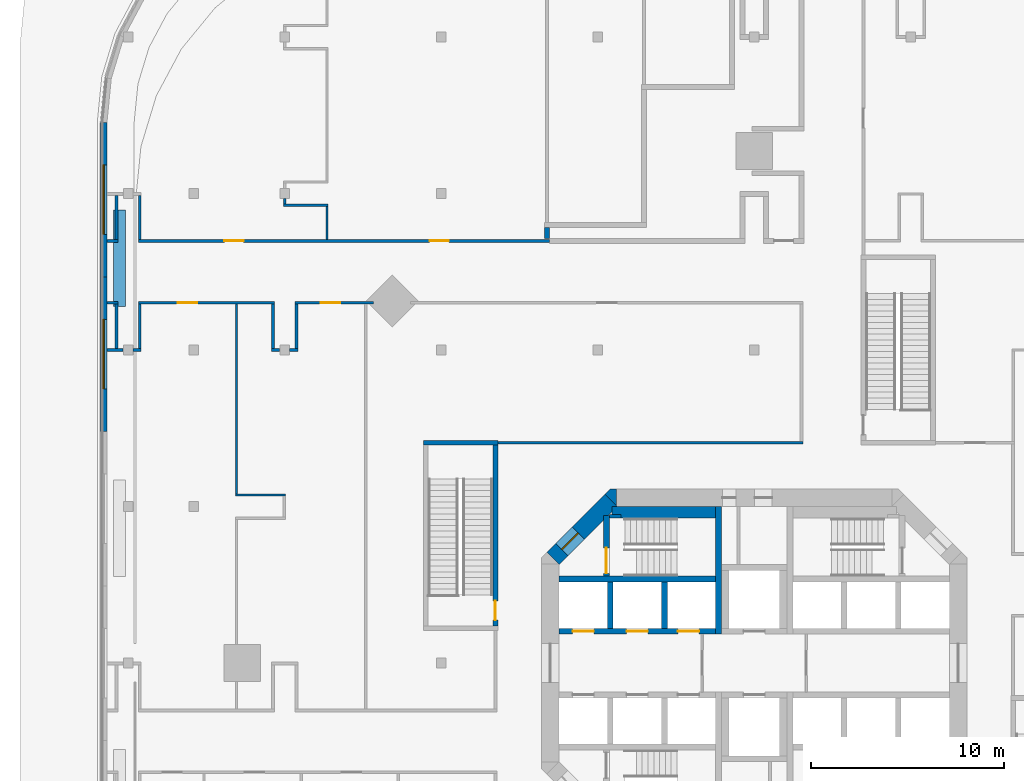
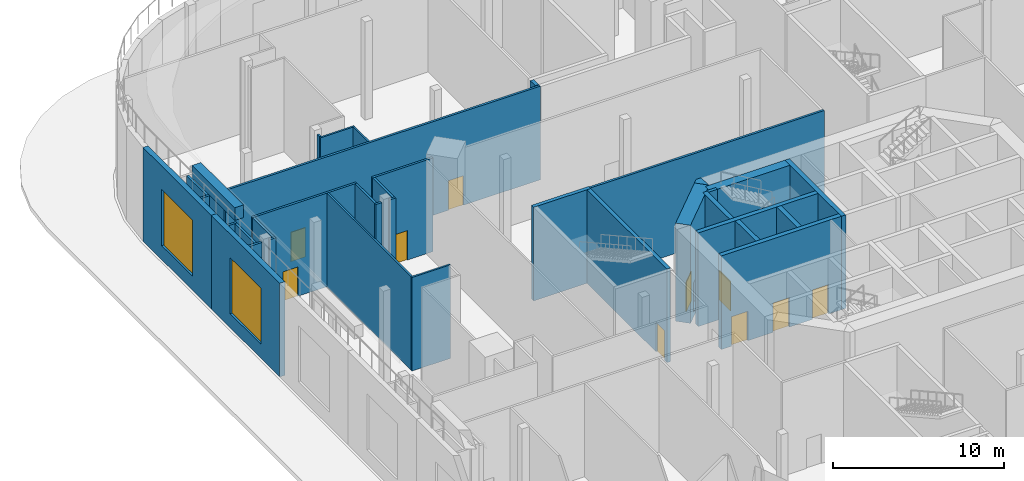
# One storey, part 9 of 21: 37 walls, 10 doors, 2 windows, 12 openings.
"""IFC4 building model written with IfcOpenShell, lengths in metres."""

import ifcopenshell
import ifcopenshell.guid

model = None  # the IFC model being written
_history = None  # IfcOwnerHistory: only IFC2X3 demands one
_inside = {}  # id of a spatial element -> (the spatial element, [elements in it])
_under = {}  # id of a project, library or spatial element -> (it, [spatial elements below it])
_declared = {}  # id of a project -> (the project, [libraries it declares])
_typed = {}  # id of a type object -> (the type object, [elements of that type])
_made_of = {}  # id of a material, layer set ... -> (it, [elements and type objects made of it])


def new_model(schema):
    """Start an empty IFC model of exactly this schema.

    Asked for "IFC4X3", IfcOpenShell would pick the latest addendum, in which some entities
    have other attributes; the version numbers below select the first issue.
    IFC2X3 requires an IfcOwnerHistory on every rooted entity: one is made here for all.
    """
    global model, _history
    if schema == "IFC4X3":
        model = ifcopenshell.file(schema_version=(4, 3, 0, 0))
    else:
        model = ifcopenshell.file(schema=schema)
    _inside.clear()
    _under.clear()
    _declared.clear()
    _typed.clear()
    _made_of.clear()
    _history = None
    if model.schema == "IFC2X3":
        org = make("IfcOrganization", Name="unknown")
        user = make(
            "IfcPersonAndOrganization",
            ThePerson=make("IfcPerson", FamilyName="unknown"),
            TheOrganization=org,
        )
        app = make(
            "IfcApplication",
            ApplicationDeveloper=org,
            Version="unknown",
            ApplicationFullName="unknown",
            ApplicationIdentifier="unknown",
        )
        _history = make(
            "IfcOwnerHistory",
            OwningUser=user,
            OwningApplication=app,
            ChangeAction="ADDED",
            CreationDate=0,
        )
    return model


def make(cls, **values):
    """One entity of the class cls with the attributes given. An attribute that is None is left unset."""
    return model.create_entity(
        cls, **{name: value for name, value in values.items() if value is not None}
    )


def rooted(cls, **values):
    """An entity with a GlobalId (a new one), such as an element, a storey or a relation."""
    return make(cls, GlobalId=ifcopenshell.guid.new(), OwnerHistory=_history, **values)


def si_unit(unit_type, name, prefix=None):
    """IfcSIUnit, for example si_unit("LENGTHUNIT", "METRE", prefix="MILLI")."""
    return make("IfcSIUnit", UnitType=unit_type, Prefix=prefix, Name=name)


def assignment(units):
    """IfcUnitAssignment: the units of a project."""
    return None if units is None else make("IfcUnitAssignment", Units=units)


def point(xyz):
    """IfcCartesianPoint."""
    return None if xyz is None else make("IfcCartesianPoint", Coordinates=xyz)


def direction(xyz):
    """IfcDirection."""
    return None if xyz is None else make("IfcDirection", DirectionRatios=xyz)


def frame(location, z_axis=None, x_axis=None):
    """IfcAxis2Placement3D, a coordinate frame: its origin and axes. An axis left out is left unset."""
    return make(
        "IfcAxis2Placement3D",
        Location=point(location),
        Axis=direction(z_axis),
        RefDirection=direction(x_axis),
    )


def frame_2d(location, x_axis=None):
    """IfcAxis2Placement2D, a coordinate frame in the plane: its origin and x axis."""
    return make(
        "IfcAxis2Placement2D", Location=point(location), RefDirection=direction(x_axis)
    )


def origin():
    """The frame at (0, 0, 0) with its axes left unset."""
    return frame((0.0, 0.0, 0.0))


def place(relative_to, where):
    """IfcLocalPlacement: puts the frame where relative to a parent placement (None: the world)."""
    return make(
        "IfcLocalPlacement", PlacementRelTo=relative_to, RelativePlacement=where
    )


def context(
    kind, dimensions, precision=None, world=None, true_north=None, identifier=None
):
    """IfcGeometricRepresentationContext, for example the 3D "Model" context."""
    return make(
        "IfcGeometricRepresentationContext",
        ContextIdentifier=identifier,
        ContextType=kind,
        CoordinateSpaceDimension=dimensions,
        Precision=precision,
        WorldCoordinateSystem=world,
        TrueNorth=true_north,
    )


def subcontext(parent, identifier, kind, view, scale=None):
    """IfcGeometricRepresentationSubContext, for example "Body" below "Model"."""
    return make(
        "IfcGeometricRepresentationSubContext",
        ContextIdentifier=identifier,
        ContextType=kind,
        ParentContext=parent,
        TargetScale=scale,
        TargetView=view,
    )


def project(units=None, contexts=None):
    """IfcProject with its units and contexts."""
    return rooted(
        "IfcProject",
        Name="project",
        RepresentationContexts=contexts,
        UnitsInContext=assignment(units),
    )


def spatial(cls, under=None, at=None, **own):
    """A site, building, storey or space (cls), placed at a placement, below another one or the project."""
    s = rooted(cls, ObjectPlacement=at, **own)
    if under is not None:
        _under.setdefault(under.id(), (under, []))[1].append(s)
    return s


def polyline(points):
    """IfcPolyline through the points."""
    return make("IfcPolyline", Points=[point(p) for p in points])


def profile(cls, at=None, kind="AREA", **sizes):
    """A parametric profile (cls). Its sizes go by their IFC names, for example OverallWidth=200.0."""
    return make(cls, ProfileType=kind, Position=at, **sizes)


def rectangle(**sizes):
    """IfcRectangleProfileDef."""
    return profile("IfcRectangleProfileDef", **sizes)


def outline(outer, holes=None, kind="AREA"):
    """IfcArbitraryClosedProfileDef: a profile drawn as a closed curve; with holes, ...WithVoids."""
    if holes is None:
        return make("IfcArbitraryClosedProfileDef", ProfileType=kind, OuterCurve=outer)
    return make(
        "IfcArbitraryProfileDefWithVoids",
        ProfileType=kind,
        OuterCurve=outer,
        InnerCurves=holes,
    )


def extrude(swept, where, along, depth):
    """IfcExtrudedAreaSolid: the profile swept, set in the frame where, extruded along a direction by depth."""
    return make(
        "IfcExtrudedAreaSolid",
        SweptArea=swept,
        Position=where,
        ExtrudedDirection=direction(along),
        Depth=depth,
    )


def shape(context_of_items, identifier, shape_type, items):
    """IfcShapeRepresentation: the items that make up one representation, for example the "Body"."""
    return make(
        "IfcShapeRepresentation",
        ContextOfItems=context_of_items,
        RepresentationIdentifier=identifier,
        RepresentationType=shape_type,
        Items=items,
    )


def material(Name=None, Category=None):
    """IfcMaterial."""
    return make("IfcMaterial", Name=Name, Category=Category)


def layer(
    of_material, thickness, ventilated=None, Name=None, Category=None, Priority=None
):
    """IfcMaterialLayer: one layer of a wall or slab, of a material (None: an air gap)."""
    return make(
        "IfcMaterialLayer",
        Material=of_material,
        LayerThickness=thickness,
        IsVentilated=ventilated,
        Name=Name,
        Category=Category,
        Priority=Priority,
    )


def layer_set(layers, Name=None):
    """IfcMaterialLayerSet."""
    return make("IfcMaterialLayerSet", MaterialLayers=layers, LayerSetName=Name)


def made_of(thing, what):
    """Note that an element or type object is made of a material, layer set ...; save() writes the relation."""
    if what is not None:
        _made_of.setdefault(what.id(), (what, []))[1].append(thing)
    return thing


def type_object(cls, material=None, **own):
    """A type object (cls), such as IfcWallType, which elements share."""
    return made_of(rooted(cls, **own), material)


def element(
    cls,
    number,
    at=None,
    inside=None,
    cuts=None,
    type_object=None,
    material=None,
    context=None,
    identifier="Body",
    shape_type=None,
    held_by="IfcProductDefinitionShape",
    body=None,
    shapes=None,
    **own,
):
    """One element of the class cls, such as IfcWall. Its Tag is "e" and its number.

    at: its placement. inside: the storey or other place that contains it. cuts: it is an
    opening in that element (IfcRelVoidsElement). A single representation is given by context,
    identifier, shape_type and body (its items); several are given by shapes. held_by: the class
    of the entity that holds the representations. save() writes the other relations.
    """
    e = rooted(cls, Tag="e%d" % number, ObjectPlacement=at, **own)
    if body is not None:
        shapes = [shape(context, identifier, shape_type, body)]
    if shapes is not None:
        e.Representation = make(held_by, Representations=shapes)
    if inside is not None:
        _inside.setdefault(inside.id(), (inside, []))[1].append(e)
    if cuts is not None:
        rooted(
            "IfcRelVoidsElement", RelatingBuildingElement=cuts, RelatedOpeningElement=e
        )
    if type_object is not None:
        _typed.setdefault(type_object.id(), (type_object, []))[1].append(e)
    return made_of(e, material)


def fill(opening, filler):
    """IfcRelFillsElement: the door or window that sits in an opening."""
    return rooted(
        "IfcRelFillsElement",
        RelatingOpeningElement=opening,
        RelatedBuildingElement=filler,
    )


def aggregate(whole, parts):
    """IfcRelAggregates: a whole, such as a stair, and the parts it consists of."""
    return rooted("IfcRelAggregates", RelatingObject=whole, RelatedObjects=parts)


def save(model, path):
    """Write the relations noted so far, then the file.

    IfcRelAggregates (storeys below a building ...), IfcRelContainedInSpatialStructure (elements
    in a storey), IfcRelDefinesByType, IfcRelAssociatesMaterial and IfcRelDeclares: one each for
    every whole, place, type object, material and project.
    """
    for whole, parts in _under.values():
        aggregate(whole, parts)
    for where, things in _inside.values():
        rooted(
            "IfcRelContainedInSpatialStructure",
            RelatedElements=things,
            RelatingStructure=where,
        )
    for kind, things in _typed.values():
        rooted("IfcRelDefinesByType", RelatedObjects=things, RelatingType=kind)
    for what, things in _made_of.values():
        rooted("IfcRelAssociatesMaterial", RelatedObjects=things, RelatingMaterial=what)
    for by, libraries in _declared.values():
        rooted("IfcRelDeclares", RelatingContext=by, RelatedDefinitions=libraries)
    model.write(path)


model = new_model("IFC4")

# Units and contexts
model_context = context("Model", 3, precision=1e-05, world=origin(), true_north=direction((0.0, 1.0)))
body_context = subcontext(model_context, "Body", "Model", "MODEL_VIEW")
ifc_project = project(units=[si_unit("LENGTHUNIT", "METRE"), si_unit("AREAUNIT", "SQUARE_METRE"), si_unit("VOLUMEUNIT", "CUBIC_METRE"), si_unit("PLANEANGLEUNIT", "RADIAN"), si_unit("MASSUNIT", "GRAM", prefix="KILO")], contexts=[model_context])

# Site, building, storey
site_placement = place(None, origin())
site = spatial("IfcSite", under=ifc_project, at=site_placement, CompositionType="ELEMENT")
building_placement = place(site_placement, origin())
building = spatial("IfcBuilding", under=site, at=building_placement, Name="Torre Triforio", CompositionType="ELEMENT")
storey_placement = place(building_placement, frame((0.0, 0.0, 6.0)))
storey = spatial("IfcBuildingStorey", under=building, at=storey_placement, Name="L01", CompositionType="ELEMENT", Elevation=6.0)

# Wall
ifc_material_1 = material(Name="Concrete C60", Category="concrete")
ifc_layer_1 = layer(ifc_material_1, 0.300048828125)
ifc_layer_set_1 = layer_set([ifc_layer_1], Name="Concrete C60")
wall_type_1 = type_object("IfcWallType", Name="Core wall 300 mm C60 EI 120", PredefinedType="SHEAR", material=ifc_layer_set_1)
wall_1_placement = place(storey_placement, frame((-1.85009765625, 1.5, 0.0), z_axis=(0.0, 0.0, 1.0), x_axis=(0.0, 1.0, 0.0)))
element("IfcWall", 1, at=wall_1_placement, inside=storey, type_object=wall_type_1, Name="Core wall", PredefinedType="SHEAR", context=body_context, shape_type="SweptSolid", body=[
    extrude(rectangle(XDim=6.60009765625, YDim=0.300048828125, at=frame_2d((3.300048828125, 0.0))), origin(), (0.0, 0.0, 1.0), 6.679931640625),
])

# Wall, opening, door
ifc_layer_2 = layer(ifc_material_1, 0.89990234375)
ifc_layer_set_2 = layer_set([ifc_layer_2], Name="Concrete C60")
wall_type_2 = type_object("IfcWallType", Name="Core wall 900 mm C60 EI 120", PredefinedType="SHEAR", material=ifc_layer_set_2)
wall_2_placement = place(storey_placement, frame((-10.418212890625, 5.418212890625, -0.320068359375), z_axis=(0.0, 0.0, 1.0), x_axis=(0.707106781187, 0.707106781187, 0.0)))
wall_2 = element("IfcWall", 2, at=wall_2_placement, inside=storey, type_object=wall_type_2, Name="Core wall", PredefinedType="SHEAR", context=body_context, shape_type="SweptSolid", body=[
    extrude(rectangle(XDim=4.24267578125, YDim=0.89990234375, at=frame_2d((2.121337890625, 0.0))), origin(), (0.0, 0.0, 1.0), 7.0),
])
opening_1_placement = place(wall_2_placement, frame((0.64990234375, 0.0, 0.320068359375)))
opening_1 = element("IfcOpeningElement", 3, at=opening_1_placement, cuts=wall_2, Name="Opening ST1-EXIT", PredefinedType="OPENING", context=body_context, shape_type="SweptSolid", body=[
    extrude(rectangle(XDim=1.199951171875, YDim=2.10009765625, at=frame_2d((0.60009765625, 1.050048828125))), frame((0.0, 0.4599609375, 0.0), z_axis=(0.0, -1.0, 0.0), x_axis=(1.0, 0.0, 0.0)), (0.0, 0.0, 1.0), 0.919921875),
])
ifc_material_2 = material(Name="Hollow metal fire door leaf")
door_type_1 = type_object("IfcDoorType", Name="Stair lobby door 1200 x 2100 EI 60", OperationType="NOTDEFINED", PredefinedType="DOOR", material=ifc_material_2)
door_1_placement = place(opening_1_placement, origin())
door_1 = element("IfcDoor", 4, at=door_1_placement, inside=storey, type_object=door_type_1, Name="Core door ST1-EXIT", OperationType="SINGLE_SWING_RIGHT", OverallHeight=2.10009765625, OverallWidth=1.199951171875, PredefinedType="DOOR", context=body_context, shape_type="SweptSolid", body=[
    extrude(rectangle(XDim=1.199951171875, YDim=2.10009765625, at=frame_2d((0.60009765625, 1.050048828125))), frame((0.0, 0.02490234375, 0.0), z_axis=(0.0, -1.0, 0.0), x_axis=(1.0, 0.0, 0.0)), (0.0, 0.0, 1.0), 0.050048828125),
])
fill(opening_1, door_1)

# Walls
wall_3_placement = place(storey_placement, frame((0.0, 0.0, -0.320068359375)))
element("IfcWall", 5, at=wall_3_placement, inside=storey, type_object=wall_type_2, Name="Core wall", PredefinedType="SHEAR", context=body_context, shape_type="SweptSolid", body=[
    extrude(outline(polyline([(-7.472900390625, 9.0), (-7.1298828125, 9.0), (-7.1298828125, 8.1298828125), (-7.736328125, 8.736328125), (-7.472900390625, 9.0)])), origin(), (0.0, 0.0, 1.0), 7.0),
])
ifc_material_3 = material(Name="Plasterboard on metal studs")
ifc_layer_3 = layer(ifc_material_3, 0.14990234375)
ifc_layer_set_3 = layer_set([ifc_layer_3], Name="Plasterboard on metal studs")
wall_type_3 = type_object("IfcWallType", Name="Corridor wall 150 EI 60", PredefinedType="PARTITIONING", material=ifc_layer_set_3)
wall_4_placement = place(storey_placement, frame((-33.489990234375, 16.199951171875, 0.0), z_axis=(0.0, 0.0, 1.0), x_axis=(1.0, 0.0, 0.0)))
element("IfcWall", 6, at=wall_4_placement, inside=storey, type_object=wall_type_3, Name="Corridor wall L01 131", PredefinedType="PARTITIONING", context=body_context, shape_type="SweptSolid", body=[
    extrude(rectangle(XDim=0.830078125, YDim=0.14990234375, at=frame_2d((0.4150390625, 0.0))), origin(), (0.0, 0.0, 1.0), 6.679931640625),
])
wall_5_placement = place(storey_placement, frame((-32.139892578125, 16.199951171875, 0.0), z_axis=(0.0, 0.0, 1.0), x_axis=(1.0, 0.0, 0.0)))
element("IfcWall", 7, at=wall_5_placement, inside=storey, type_object=wall_type_3, Name="Corridor wall L01 132", PredefinedType="PARTITIONING", context=body_context, shape_type="SweptSolid", body=[
    extrude(rectangle(XDim=0.414794921875, YDim=0.14990234375, at=frame_2d((0.20751953125, 0.0))), origin(), (0.0, 0.0, 1.0), 6.679931640625),
])
wall_6_placement = place(storey_placement, frame((-33.5, 18.64990234375, 0.0), z_axis=(0.0, 0.0, 1.0), x_axis=(1.0, 0.0, 0.0)))
element("IfcWall", 8, at=wall_6_placement, inside=storey, type_object=wall_type_3, Name="Corridor wall L01 133", PredefinedType="PARTITIONING", context=body_context, shape_type="SweptSolid", body=[
    extrude(rectangle(XDim=0.574951171875, YDim=0.14990234375, at=frame_2d((0.28759765625, 0.0))), origin(), (0.0, 0.0, 1.0), 6.679931640625),
])

# Wall, opening, door
wall_7_placement = place(storey_placement, frame((-31.875, 18.64990234375, 0.0), z_axis=(0.0, 0.0, 1.0), x_axis=(1.0, 0.0, 0.0)))
wall_7 = element("IfcWall", 9, at=wall_7_placement, inside=storey, type_object=wall_type_3, Name="Corridor wall L01 134", PredefinedType="PARTITIONING", context=body_context, shape_type="SweptSolid", body=[
    extrude(rectangle(XDim=7.050048828125, YDim=0.14990234375, at=frame_2d((3.52490234375, 0.0))), origin(), (0.0, 0.0, 1.0), 6.679931640625),
])
opening_2_placement = place(wall_7_placement, frame((2.050048828125, 0.0, 0.0)))
opening_2 = element("IfcOpeningElement", 10, at=opening_2_placement, cuts=wall_7, Name="Opening P1-40", PredefinedType="OPENING", context=body_context, shape_type="SweptSolid", body=[
    extrude(rectangle(XDim=1.0, YDim=2.10009765625, at=frame_2d((0.5, 1.050048828125))), frame((0.0, 0.0849609375, 0.0), z_axis=(0.0, -1.0, 0.0), x_axis=(1.0, 0.0, 0.0)), (0.0, 0.0, 1.0), 0.169921875),
])
ifc_material_4 = material(Name="Timber door leaf", Category="wood")
door_type_2 = type_object("IfcDoorType", Name="Single door 1000 x 2100 EI 30", OperationType="NOTDEFINED", PredefinedType="DOOR", material=ifc_material_4)
door_2_placement = place(opening_2_placement, origin())
door_2 = element("IfcDoor", 11, at=door_2_placement, inside=storey, type_object=door_type_2, Name="Door P1-40", OperationType="SINGLE_SWING_LEFT", OverallHeight=2.10009765625, OverallWidth=1.0, PredefinedType="DOOR", context=body_context, shape_type="SweptSolid", body=[
    extrude(rectangle(XDim=1.0, YDim=2.10009765625, at=frame_2d((0.5, 1.050048828125))), frame((0.0, 0.02490234375, 0.0), z_axis=(0.0, -1.0, 0.0), x_axis=(1.0, 0.0, 0.0)), (0.0, 0.0, 1.0), 0.050048828125),
])
fill(opening_2, door_2)

# Walls
for number, where, z_axis, x_axis, name in (
    (12, (-33.0, 16.27490234375, 0.0), (0.0, 0.0, 1.0), (0.0, 1.0, 0.0), "Corridor wall L01 135"),
    (13, (-31.800048828125, 16.27490234375, 0.0), (0.0, 0.0, 1.0), (0.0, 1.0, 0.0), "Corridor wall L01 136"),
):
    element("IfcWall", number, at=place(storey_placement, frame(where, z_axis=z_axis, x_axis=x_axis)), inside=storey, type_object=wall_type_3, Name=name, PredefinedType="PARTITIONING", context=body_context, shape_type="SweptSolid", body=[
        extrude(rectangle(XDim=2.300048828125, YDim=0.14990234375, at=frame_2d((1.14990234375, 0.0))), origin(), (0.0, 0.0, 1.0), 6.679931640625),
    ])
for number, where, z_axis, x_axis, name in (
    (14, (-24.97509765625, 16.199951171875, 0.0), (0.0, 0.0, 1.0), (1.0, 0.0, 0.0), "Corridor wall L01 137"),
    (15, (-24.0400390625, 16.199951171875, 0.0), (0.0, 0.0, 1.0), (1.0, 0.0, 0.0), "Corridor wall L01 138"),
):
    element("IfcWall", number, at=place(storey_placement, frame(where, z_axis=z_axis, x_axis=x_axis)), inside=storey, type_object=wall_type_3, Name=name, PredefinedType="PARTITIONING", context=body_context, shape_type="SweptSolid", body=[
        extrude(rectangle(XDim=0.4150390625, YDim=0.14990234375, at=frame_2d((0.20751953125, 0.0))), origin(), (0.0, 0.0, 1.0), 6.679931640625),
    ])

# Wall, opening, door
wall_8_placement = place(storey_placement, frame((-23.77490234375, 18.64990234375, 0.0), z_axis=(0.0, 0.0, 1.0), x_axis=(1.0, 0.0, 0.0)))
wall_8 = element("IfcWall", 16, at=wall_8_placement, inside=storey, type_object=wall_type_3, Name="Corridor wall L01 139", PredefinedType="PARTITIONING", context=body_context, shape_type="SweptSolid", body=[
    extrude(rectangle(XDim=4.07666015625, YDim=0.14990234375, at=frame_2d((2.038330078125, 0.0))), origin(), (0.0, 0.0, 1.0), 6.679931640625),
])
opening_3_placement = place(wall_8_placement, frame((1.35009765625, 0.0, 0.0)))
opening_3 = element("IfcOpeningElement", 17, at=opening_3_placement, cuts=wall_8, Name="Opening P1-41", PredefinedType="OPENING", context=body_context, shape_type="SweptSolid", body=[
    extrude(rectangle(XDim=1.0, YDim=2.10009765625, at=frame_2d((0.5, 1.050048828125))), frame((0.0, 0.0849609375, 0.0), z_axis=(0.0, -1.0, 0.0), x_axis=(1.0, 0.0, 0.0)), (0.0, 0.0, 1.0), 0.169921875),
])
door_3_placement = place(opening_3_placement, origin())
door_3 = element("IfcDoor", 18, at=door_3_placement, inside=storey, type_object=door_type_2, Name="Door P1-41", OperationType="SINGLE_SWING_LEFT", OverallHeight=2.10009765625, OverallWidth=1.0, PredefinedType="DOOR", context=body_context, shape_type="SweptSolid", body=[
    extrude(rectangle(XDim=1.0, YDim=2.10009765625, at=frame_2d((0.5, 1.050048828125))), frame((0.0, 0.02490234375, 0.0), z_axis=(0.0, -1.0, 0.0), x_axis=(1.0, 0.0, 0.0)), (0.0, 0.0, 1.0), 0.050048828125),
])
fill(opening_3, door_3)

# Walls
for number, where, z_axis, x_axis, name in (
    (19, (-24.89990234375, 16.27490234375, 0.0), (0.0, 0.0, 1.0), (0.0, 1.0, 0.0), "Corridor wall L01 140"),
    (20, (-23.699951171875, 16.27490234375, 0.0), (0.0, 0.0, 1.0), (0.0, 1.0, 0.0), "Corridor wall L01 141"),
):
    element("IfcWall", number, at=place(storey_placement, frame(where, z_axis=z_axis, x_axis=x_axis)), inside=storey, type_object=wall_type_3, Name=name, PredefinedType="PARTITIONING", context=body_context, shape_type="SweptSolid", body=[
        extrude(rectangle(XDim=2.300048828125, YDim=0.14990234375, at=frame_2d((1.14990234375, 0.0))), origin(), (0.0, 0.0, 1.0), 6.679931640625),
    ])
wall_9_placement = place(storey_placement, frame((-33.5, 21.85009765625, 0.0), z_axis=(0.0, 0.0, 1.0), x_axis=(1.0, 0.0, 0.0)))
element("IfcWall", 21, at=wall_9_placement, inside=storey, type_object=wall_type_3, Name="Corridor wall L01 143", PredefinedType="PARTITIONING", context=body_context, shape_type="SweptSolid", body=[
    extrude(rectangle(XDim=0.574951171875, YDim=0.14990234375, at=frame_2d((0.28759765625, 0.0))), origin(), (0.0, 0.0, 1.0), 6.679931640625),
])

# Wall, openings, doors
wall_10_placement = place(storey_placement, frame((-31.875, 21.85009765625, 0.0), z_axis=(0.0, 0.0, 1.0), x_axis=(1.0, 0.0, 0.0)))
wall_10 = element("IfcWall", 22, at=wall_10_placement, inside=storey, type_object=wall_type_3, Name="Corridor wall L01 144", PredefinedType="PARTITIONING", context=body_context, shape_type="SweptSolid", body=[
    extrude(rectangle(XDim=21.281982421875, YDim=0.14990234375, at=frame_2d((10.64111328125, 0.0))), origin(), (0.0, 0.0, 1.0), 6.679931640625),
])
opening_4_placement = place(wall_10_placement, frame((4.449951171875, 0.0, 0.0)))
opening_4 = element("IfcOpeningElement", 23, at=opening_4_placement, cuts=wall_10, Name="Opening P1-43", PredefinedType="OPENING", context=body_context, shape_type="SweptSolid", body=[
    extrude(rectangle(XDim=1.0, YDim=2.10009765625, at=frame_2d((0.5, 1.050048828125))), frame((0.0, 0.0849609375, 0.0), z_axis=(0.0, -1.0, 0.0), x_axis=(1.0, 0.0, 0.0)), (0.0, 0.0, 1.0), 0.169921875),
])
opening_5_placement = place(wall_10_placement, frame((15.075927734375, 0.0, 0.0)))
opening_5 = element("IfcOpeningElement", 24, at=opening_5_placement, cuts=wall_10, Name="Opening P1-44", PredefinedType="OPENING", context=body_context, shape_type="SweptSolid", body=[
    extrude(rectangle(XDim=1.0, YDim=2.10009765625, at=frame_2d((0.5, 1.050048828125))), frame((0.0, 0.0849609375, 0.0), z_axis=(0.0, -1.0, 0.0), x_axis=(1.0, 0.0, 0.0)), (0.0, 0.0, 1.0), 0.169921875),
])
door_4_placement = place(opening_4_placement, origin())
door_4 = element("IfcDoor", 25, at=door_4_placement, inside=storey, type_object=door_type_2, Name="Door P1-43", OperationType="SINGLE_SWING_LEFT", OverallHeight=2.10009765625, OverallWidth=1.0, PredefinedType="DOOR", context=body_context, shape_type="SweptSolid", body=[
    extrude(rectangle(XDim=1.0, YDim=2.10009765625, at=frame_2d((0.5, 1.050048828125))), frame((0.0, 0.02490234375, 0.0), z_axis=(0.0, -1.0, 0.0), x_axis=(1.0, 0.0, 0.0)), (0.0, 0.0, 1.0), 0.050048828125),
])
fill(opening_4, door_4)
door_5_placement = place(opening_5_placement, origin())
door_5 = element("IfcDoor", 26, at=door_5_placement, inside=storey, type_object=door_type_2, Name="Door P1-44", OperationType="SINGLE_SWING_LEFT", OverallHeight=2.10009765625, OverallWidth=1.0, PredefinedType="DOOR", context=body_context, shape_type="SweptSolid", body=[
    extrude(rectangle(XDim=1.0, YDim=2.10009765625, at=frame_2d((0.5, 1.050048828125))), frame((0.0, 0.02490234375, 0.0), z_axis=(0.0, -1.0, 0.0), x_axis=(1.0, 0.0, 0.0)), (0.0, 0.0, 1.0), 0.050048828125),
])
fill(opening_5, door_5)

# Walls
for number, where, z_axis, x_axis, name in (
    (27, (-33.0, 21.925048828125, 0.0), (0.0, 0.0, 1.0), (0.0, 1.0, 0.0), "Corridor wall L01 147"),
    (28, (-31.800048828125, 21.925048828125, 0.0), (0.0, 0.0, 1.0), (0.0, 1.0, 0.0), "Corridor wall L01 148"),
):
    element("IfcWall", number, at=place(storey_placement, frame(where, z_axis=z_axis, x_axis=x_axis)), inside=storey, type_object=wall_type_3, Name=name, PredefinedType="PARTITIONING", context=body_context, shape_type="SweptSolid", body=[
        extrude(rectangle(XDim=2.280029296875, YDim=0.14990234375, at=frame_2d((1.14013671875, 0.0))), origin(), (0.0, 0.0, 1.0), 6.679931640625),
    ])
wall_11_placement = place(storey_placement, frame((-13.27490234375, 11.39990234375, 0.0), z_axis=(0.0, 0.0, 1.0), x_axis=(1.0, 0.0, 0.0)))
element("IfcWall", 29, at=wall_11_placement, inside=storey, type_object=wall_type_3, Name="Corridor wall L01 206", PredefinedType="PARTITIONING", context=body_context, shape_type="SweptSolid", body=[
    extrude(rectangle(XDim=15.7998046875, YDim=0.14990234375, at=frame_2d((7.89990234375, 0.0))), origin(), (0.0, 0.0, 1.0), 6.679931640625),
])
ifc_layer_4 = layer(ifc_material_3, 0.1201171875)
ifc_layer_set_4 = layer_set([ifc_layer_4], Name="Plasterboard on metal studs")
wall_type_4 = type_object("IfcWallType", Name="Partition 120", PredefinedType="PARTITIONING", material=ifc_layer_set_4)
wall_12_placement = place(storey_placement, frame((-26.860107421875, 8.699951171875, 0.0), z_axis=(0.0, 0.0, 1.0), x_axis=(1.0, 0.0, 0.0)))
element("IfcWall", 30, at=wall_12_placement, inside=storey, type_object=wall_type_4, Name="Partition L01 238", PredefinedType="PARTITIONING", context=body_context, shape_type="SweptSolid", body=[
    extrude(rectangle(XDim=2.60009765625, YDim=0.1201171875, at=frame_2d((1.300048828125, 0.0))), origin(), (0.0, 0.0, 1.0), 6.679931640625),
])
wall_13_placement = place(storey_placement, frame((-26.800048828125, 8.760009765625, 0.0), z_axis=(0.0, 0.0, 1.0), x_axis=(0.0, 1.0, 0.0)))
element("IfcWall", 31, at=wall_13_placement, inside=storey, type_object=wall_type_4, Name="Partition L01 241", PredefinedType="PARTITIONING", context=body_context, shape_type="SweptSolid", body=[
    extrude(rectangle(XDim=9.81494140625, YDim=0.1201171875, at=frame_2d((4.907470703125, 0.0))), origin(), (0.0, 0.0, 1.0), 6.679931640625),
])
wall_14_placement = place(storey_placement, frame((-24.360107421875, 23.699951171875, 0.0), z_axis=(0.0, 0.0, 1.0), x_axis=(1.0, 0.0, 0.0)))
element("IfcWall", 32, at=wall_14_placement, inside=storey, type_object=wall_type_4, Name="Partition L01 254", PredefinedType="PARTITIONING", context=body_context, shape_type="SweptSolid", body=[
    extrude(rectangle(XDim=2.31103515625, YDim=0.1201171875, at=frame_2d((1.155517578125, 0.0))), origin(), (0.0, 0.0, 1.0), 6.679931640625),
])
wall_15_placement = place(storey_placement, frame((-24.300048828125, 23.760009765625, 0.0), z_axis=(0.0, 0.0, 1.0), x_axis=(0.0, 1.0, 0.0)))
element("IfcWall", 33, at=wall_15_placement, inside=storey, type_object=wall_type_4, Name="Partition L01 258", PredefinedType="PARTITIONING", context=body_context, shape_type="SweptSolid", body=[
    extrude(rectangle(XDim=0.280029296875, YDim=0.1201171875, at=frame_2d((0.14013671875, 0.0))), origin(), (0.0, 0.0, 1.0), 6.679931640625),
])
wall_16_placement = place(storey_placement, frame((-22.10888671875, 21.925048828125, 0.0), z_axis=(0.0, 0.0, 1.0), x_axis=(0.0, 1.0, 0.0)))
element("IfcWall", 34, at=wall_16_placement, inside=storey, type_object=wall_type_4, Name="Partition L01 262", PredefinedType="PARTITIONING", context=body_context, shape_type="SweptSolid", body=[
    extrude(rectangle(XDim=1.71484375, YDim=0.1201171875, at=frame_2d((0.857421875, 0.0))), origin(), (0.0, 0.0, 1.0), 6.679931640625),
])
ifc_material_5 = material(Name="Masonry block", Category="masonry")
ifc_layer_5 = layer(ifc_material_5, 0.25)
ifc_layer_set_5 = layer_set([ifc_layer_5], Name="Masonry block")
wall_type_5 = type_object("IfcWallType", Name="Plant room wall 250 EI 120", PredefinedType="PARTITIONING", material=ifc_layer_set_5)
wall_17_placement = place(storey_placement, frame((-10.718017578125, 21.97509765625, 0.0), z_axis=(0.0, 0.0, 1.0), x_axis=(0.0, 1.0, 0.0)))
element("IfcWall", 35, at=wall_17_placement, inside=storey, type_object=wall_type_5, Name="Plant room wall L01 233", PredefinedType="PARTITIONING", context=body_context, shape_type="SweptSolid", body=[
    extrude(rectangle(XDim=0.57861328125, YDim=0.25, at=frame_2d((0.289306640625, 0.0))), origin(), (0.0, 0.0, 1.0), 6.679931640625),
])
ifc_layer_6 = layer(ifc_material_1, 0.300048828125)
ifc_layer_set_6 = layer_set([ifc_layer_6], Name="Concrete C60")
wall_type_6 = type_object("IfcWallType", Name="Shaft wall 300 mm C60 EI 120", PredefinedType="SOLIDWALL", material=ifc_layer_set_6)
wall_18_placement = place(storey_placement, frame((-10.10009765625, 4.35009765625, 0.0), z_axis=(0.0, 0.0, 1.0), x_axis=(1.0, 0.0, 0.0)))
element("IfcWall", 36, at=wall_18_placement, inside=storey, type_object=wall_type_6, Name="Shaft wall", PredefinedType="SOLIDWALL", context=body_context, shape_type="SweptSolid", body=[
    extrude(rectangle(XDim=8.10009765625, YDim=0.300048828125, at=frame_2d((4.050048828125, 0.0))), origin(), (0.0, 0.0, 1.0), 6.679931640625),
])

# Wall, openings, doors
wall_19_placement = place(storey_placement, frame((-10.10009765625, 1.64990234375, 0.0), z_axis=(0.0, 0.0, 1.0), x_axis=(1.0, 0.0, 0.0)))
wall_19 = element("IfcWall", 37, at=wall_19_placement, inside=storey, type_object=wall_type_6, Name="Shaft wall", PredefinedType="SOLIDWALL", context=body_context, shape_type="SweptSolid", body=[
    extrude(rectangle(XDim=8.10009765625, YDim=0.300048828125, at=frame_2d((4.050048828125, 0.0))), origin(), (0.0, 0.0, 1.0), 6.679931640625),
])
opening_6_placement = place(wall_19_placement, frame((0.699951171875, 0.0, 0.0)))
opening_6 = element("IfcOpeningElement", 38, at=opening_6_placement, cuts=wall_19, Name="Opening LD", PredefinedType="OPENING", context=body_context, shape_type="SweptSolid", body=[
    extrude(rectangle(XDim=1.10009765625, YDim=2.10009765625, at=frame_2d((0.550048828125, 1.050048828125))), frame((0.0, 0.159912109375, 0.0), z_axis=(0.0, -1.0, 0.0), x_axis=(1.0, 0.0, 0.0)), (0.0, 0.0, 1.0), 0.320068359375),
])
opening_7_placement = place(wall_19_placement, frame((3.5, 0.0, 0.0)))
opening_7 = element("IfcOpeningElement", 39, at=opening_7_placement, cuts=wall_19, Name="Opening LD", PredefinedType="OPENING", context=body_context, shape_type="SweptSolid", body=[
    extrude(rectangle(XDim=1.10009765625, YDim=2.10009765625, at=frame_2d((0.550048828125, 1.050048828125))), frame((0.0, 0.159912109375, 0.0), z_axis=(0.0, -1.0, 0.0), x_axis=(1.0, 0.0, 0.0)), (0.0, 0.0, 1.0), 0.320068359375),
])
opening_8_placement = place(wall_19_placement, frame((6.14990234375, 0.0, 0.0)))
opening_8 = element("IfcOpeningElement", 40, at=opening_8_placement, cuts=wall_19, Name="Opening LD", PredefinedType="OPENING", context=body_context, shape_type="SweptSolid", body=[
    extrude(rectangle(XDim=1.10009765625, YDim=2.10009765625, at=frame_2d((0.550048828125, 1.050048828125))), frame((0.0, 0.159912109375, 0.0), z_axis=(0.0, -1.0, 0.0), x_axis=(1.0, 0.0, 0.0)), (0.0, 0.0, 1.0), 0.320068359375),
])
door_type_3 = type_object("IfcDoorType", Name="Landing door 1100 x 2100 EI 60", OperationType="DOUBLE_DOOR_SLIDING", PredefinedType="DOOR", material=ifc_material_2)
door_6_placement = place(opening_6_placement, origin())
door_6 = element("IfcDoor", 41, at=door_6_placement, inside=storey, type_object=door_type_3, Name="Landing door LR1", OperationType="DOUBLE_DOOR_SLIDING", OverallHeight=2.10009765625, OverallWidth=1.10009765625, PredefinedType="DOOR", context=body_context, shape_type="SweptSolid", body=[
    extrude(rectangle(XDim=1.10009765625, YDim=2.10009765625, at=frame_2d((0.550048828125, 1.050048828125))), frame((0.0, 0.02490234375, 0.0), z_axis=(0.0, -1.0, 0.0), x_axis=(1.0, 0.0, 0.0)), (0.0, 0.0, 1.0), 0.050048828125),
])
fill(opening_6, door_6)
door_7_placement = place(opening_7_placement, origin())
door_7 = element("IfcDoor", 42, at=door_7_placement, inside=storey, type_object=door_type_3, Name="Landing door LR2", OperationType="DOUBLE_DOOR_SLIDING", OverallHeight=2.10009765625, OverallWidth=1.10009765625, PredefinedType="DOOR", context=body_context, shape_type="SweptSolid", body=[
    extrude(rectangle(XDim=1.10009765625, YDim=2.10009765625, at=frame_2d((0.550048828125, 1.050048828125))), frame((0.0, 0.02490234375, 0.0), z_axis=(0.0, -1.0, 0.0), x_axis=(1.0, 0.0, 0.0)), (0.0, 0.0, 1.0), 0.050048828125),
])
fill(opening_7, door_7)
door_8_placement = place(opening_8_placement, origin())
door_8 = element("IfcDoor", 43, at=door_8_placement, inside=storey, type_object=door_type_3, Name="Landing door LR3", OperationType="DOUBLE_DOOR_SLIDING", OverallHeight=2.10009765625, OverallWidth=1.10009765625, PredefinedType="DOOR", context=body_context, shape_type="SweptSolid", body=[
    extrude(rectangle(XDim=1.10009765625, YDim=2.10009765625, at=frame_2d((0.550048828125, 1.050048828125))), frame((0.0, 0.02490234375, 0.0), z_axis=(0.0, -1.0, 0.0), x_axis=(1.0, 0.0, 0.0)), (0.0, 0.0, 1.0), 0.050048828125),
])
fill(opening_8, door_8)

# Walls
for number, where, z_axis, x_axis, name in (
    (44, (-7.449951171875, 1.800048828125, 0.0), (0.0, 0.0, 1.0), (0.0, 1.0, 0.0), "Shaft wall"),
    (45, (-4.64990234375, 1.800048828125, 0.0), (0.0, 0.0, 1.0), (0.0, 1.0, 0.0), "Shaft wall"),
):
    element("IfcWall", number, at=place(storey_placement, frame(where, z_axis=z_axis, x_axis=x_axis)), inside=storey, type_object=wall_type_6, Name=name, PredefinedType="SOLIDWALL", context=body_context, shape_type="SweptSolid", body=[
        extrude(rectangle(XDim=2.39990234375, YDim=0.300048828125, at=frame_2d((1.199951171875, 0.0))), origin(), (0.0, 0.0, 1.0), 6.679931640625),
    ])

# Wall, opening, door
ifc_material_6 = material(Name="Concrete C40", Category="concrete")
ifc_layer_7 = layer(ifc_material_6, 0.25)
ifc_layer_set_7 = layer_set([ifc_layer_7], Name="Concrete C40")
wall_type_7 = type_object("IfcWallType", Name="Stair enclosure wall 250 EI 120", PredefinedType="STANDARD", material=ifc_layer_set_7)
wall_20_placement = place(storey_placement, frame((-13.39990234375, 1.925048828125, 0.0), z_axis=(0.0, 0.0, 1.0), x_axis=(0.0, 1.0, 0.0)))
wall_20 = element("IfcWall", 46, at=wall_20_placement, inside=storey, type_object=wall_type_7, Name="Stair enclosure wall L01 191", PredefinedType="STANDARD", context=body_context, shape_type="SweptSolid", body=[
    extrude(rectangle(XDim=9.349853515625, YDim=0.25, at=frame_2d((4.6748046875, 0.0))), origin(), (0.0, 0.0, 1.0), 6.679931640625),
])
opening_9_placement = place(wall_20_placement, frame((0.300048828125, 0.0, 0.0)))
opening_9 = element("IfcOpeningElement", 47, at=opening_9_placement, cuts=wall_20, Name="Opening P1-01", PredefinedType="OPENING", context=body_context, shape_type="SweptSolid", body=[
    extrude(rectangle(XDim=1.0, YDim=2.10009765625, at=frame_2d((0.5, 1.050048828125))), frame((0.0, 0.135009765625, 0.0), z_axis=(0.0, -1.0, 0.0), x_axis=(1.0, 0.0, 0.0)), (0.0, 0.0, 1.0), 0.27001953125),
])
door_type_4 = type_object("IfcDoorType", Name="Stair door 1000 x 2100 EI 90", OperationType="NOTDEFINED", PredefinedType="DOOR", material=ifc_material_2)
door_9_placement = place(opening_9_placement, origin())
door_9 = element("IfcDoor", 48, at=door_9_placement, inside=storey, type_object=door_type_4, Name="Door P1-01", OperationType="SINGLE_SWING_LEFT", OverallHeight=2.10009765625, OverallWidth=1.0, PredefinedType="DOOR", context=body_context, shape_type="SweptSolid", body=[
    extrude(rectangle(XDim=1.0, YDim=2.10009765625, at=frame_2d((0.5, 1.050048828125))), frame((0.0, 0.02490234375, 0.0), z_axis=(0.0, -1.0, 0.0), x_axis=(1.0, 0.0, 0.0)), (0.0, 0.0, 1.0), 0.050048828125),
])
fill(opening_9, door_9)

# Walls
wall_21_placement = place(storey_placement, frame((-17.125, 11.39990234375, 0.0), z_axis=(0.0, 0.0, 1.0), x_axis=(1.0, 0.0, 0.0)))
element("IfcWall", 49, at=wall_21_placement, inside=storey, type_object=wall_type_7, Name="Stair enclosure wall L01 193", PredefinedType="STANDARD", context=body_context, shape_type="SweptSolid", body=[
    extrude(rectangle(XDim=3.85009765625, YDim=0.25, at=frame_2d((1.925048828125, 0.0))), origin(), (0.0, 0.0, 1.0), 6.679931640625),
])
ifc_layer_8 = layer(ifc_material_1, 0.199951171875)
ifc_layer_set_8 = layer_set([ifc_layer_8], Name="Concrete C60")
wall_type_8 = type_object("IfcWallType", Name="Stair wall 200 mm C60 EI 120", PredefinedType="SHEAR", material=ifc_layer_set_8)
wall_22_placement = place(storey_placement, frame((-7.5, 7.60009765625, 0.0), z_axis=(0.0, 0.0, 1.0), x_axis=(1.0, 0.0, 0.0)))
element("IfcWall", 50, at=wall_22_placement, inside=storey, type_object=wall_type_8, Name="Stair wall", PredefinedType="SHEAR", context=body_context, shape_type="SweptSolid", body=[
    extrude(rectangle(XDim=0.60009765625, YDim=0.199951171875, at=frame_2d((0.300048828125, 0.0))), origin(), (0.0, 0.0, 1.0), 6.679931640625),
])

# Wall, opening, door
ifc_layer_9 = layer(ifc_material_1, 0.300048828125)
ifc_layer_set_9 = layer_set([ifc_layer_9], Name="Concrete C60")
wall_type_9 = type_object("IfcWallType", Name="Stair wall 300 mm C60 EI 120", PredefinedType="SHEAR", material=ifc_layer_set_9)
wall_23_placement = place(storey_placement, frame((-7.64990234375, 4.5, 0.0), z_axis=(0.0, 0.0, 1.0), x_axis=(0.0, 1.0, 0.0)))
wall_23 = element("IfcWall", 51, at=wall_23_placement, inside=storey, type_object=wall_type_9, Name="Stair wall", PredefinedType="SHEAR", context=body_context, shape_type="SweptSolid", body=[
    extrude(rectangle(XDim=3.139892578125, YDim=0.300048828125, at=frame_2d((1.56982421875, 0.0))), origin(), (0.0, 0.0, 1.0), 6.679931640625),
])
opening_10_placement = place(wall_23_placement, frame((0.139892578125, 0.0, 0.0)))
opening_10 = element("IfcOpeningElement", 52, at=opening_10_placement, cuts=wall_23, Name="Opening ST1-STA", PredefinedType="OPENING", context=body_context, shape_type="SweptSolid", body=[
    extrude(rectangle(XDim=1.320068359375, YDim=2.10009765625, at=frame_2d((0.66015625, 1.050048828125))), frame((0.0, 0.159912109375, 0.0), z_axis=(0.0, -1.0, 0.0), x_axis=(1.0, 0.0, 0.0)), (0.0, 0.0, 1.0), 0.320068359375),
])
door_type_5 = type_object("IfcDoorType", Name="Stair door 1320 x 2100 EI 90", OperationType="DOUBLE_DOOR_SINGLE_SWING", PredefinedType="DOOR", material=ifc_material_2)
door_10_placement = place(opening_10_placement, origin())
door_10 = element("IfcDoor", 53, at=door_10_placement, inside=storey, type_object=door_type_5, Name="Core door ST1-ST", OperationType="DOUBLE_DOOR_SINGLE_SWING", OverallHeight=2.10009765625, OverallWidth=1.320068359375, PredefinedType="DOOR", context=body_context, shape_type="SweptSolid", body=[
    extrude(rectangle(XDim=1.320068359375, YDim=2.10009765625, at=frame_2d((0.66015625, 1.050048828125))), frame((0.0, 0.02490234375, 0.0), z_axis=(0.0, -1.0, 0.0), x_axis=(1.0, 0.0, 0.0)), (0.0, 0.0, 1.0), 0.050048828125),
])
fill(opening_10, door_10)

# Wall
ifc_layer_10 = layer(ifc_material_1, 0.60009765625)
ifc_layer_set_10 = layer_set([ifc_layer_10], Name="Concrete C60")
wall_type_10 = type_object("IfcWallType", Name="Stair wall 600 mm C60 EI 120", PredefinedType="SHEAR", material=ifc_layer_set_10)
wall_24_placement = place(storey_placement, frame((-7.3701171875, 7.800048828125, 0.0), z_axis=(0.0, 0.0, 1.0), x_axis=(1.0, 0.0, 0.0)))
element("IfcWall", 54, at=wall_24_placement, inside=storey, type_object=wall_type_10, Name="Stair wall", PredefinedType="SHEAR", context=body_context, shape_type="SweptSolid", body=[
    extrude(rectangle(XDim=5.3701171875, YDim=0.60009765625, at=frame_2d((2.68505859375, 0.0))), origin(), (0.0, 0.0, 1.0), 6.679931640625),
])

# Wall, opening, window
ifc_material_7 = material(Name="Limestone cladding", Category="masonry")
ifc_layer_11 = layer(ifc_material_7, 0.10009765625)
ifc_layer_12 = layer(ifc_material_6, 0.25)
ifc_layer_set_11 = layer_set([ifc_layer_11, ifc_layer_12], Name="Limestone cladding / Concrete C40")
wall_type_11 = type_object("IfcWallType", Name="Stone-clad podium wall 350", PredefinedType="STANDARD", material=ifc_layer_set_11)
wall_25_placement = place(storey_placement, frame((-33.675048828125, 27.98388671875, 0.0), z_axis=(0.0, 0.0, 1.0), x_axis=(0.0, -1.0, 0.0)))
wall_25 = element("IfcWall", 55, at=wall_25_placement, inside=storey, type_object=wall_type_11, Name="External wall L01 e26.0.w0", PredefinedType="STANDARD", context=body_context, shape_type="SweptSolid", body=[
    extrude(rectangle(XDim=7.995361328125, YDim=0.35009765625, at=frame_2d((3.99755859375, 0.0))), origin(), (0.0, 0.0, 1.0), 6.679931640625),
])
opening_11_placement = place(wall_25_placement, frame((2.19775390625, 0.0, 1.0)))
opening_11 = element("IfcOpeningElement", 56, at=opening_11_placement, cuts=wall_25, Name="Opening P1-W14", PredefinedType="OPENING", context=body_context, shape_type="SweptSolid", body=[
    extrude(rectangle(XDim=3.60009765625, YDim=4.0, at=frame_2d((1.800048828125, 2.0))), frame((0.0, 0.18505859375, 0.0), z_axis=(0.0, -1.0, 0.0), x_axis=(1.0, 0.0, 0.0)), (0.0, 0.0, 1.0), 0.3701171875),
])
ifc_material_8 = material(Name="Aluminium frame with clear double glazing", Category="aluminium")
window_type = type_object("IfcWindowType", Name="Podium window 3600 x 4000", PartitioningType="DOUBLE_PANEL_VERTICAL", PredefinedType="WINDOW", material=ifc_material_8)
window_1_placement = place(opening_11_placement, origin())
window_1 = element("IfcWindow", 57, at=window_1_placement, inside=storey, type_object=window_type, Name="Window L01 e26.0.w0", OverallHeight=4.0, OverallWidth=3.60009765625, PartitioningType="SINGLE_PANEL", PredefinedType="WINDOW", context=body_context, shape_type="SweptSolid", body=[
    extrude(rectangle(XDim=3.60009765625, YDim=4.0, at=frame_2d((1.800048828125, 2.0))), frame((0.0, 0.030029296875, 0.0), z_axis=(0.0, -1.0, 0.0), x_axis=(1.0, 0.0, 0.0)), (0.0, 0.0, 1.0), 0.06005859375),
])
fill(opening_11, window_1)

wall_26_placement = place(storey_placement, frame((-33.675048828125, 19.988525390625, 0.0), z_axis=(0.0, 0.0, 1.0), x_axis=(0.0, -1.0, 0.0)))
wall_26 = element("IfcWall", 58, at=wall_26_placement, inside=storey, type_object=wall_type_11, Name="External wall L01 e26.0.w1", PredefinedType="STANDARD", context=body_context, shape_type="SweptSolid", body=[
    extrude(rectangle(XDim=7.995361328125, YDim=0.35009765625, at=frame_2d((3.99755859375, 0.0))), origin(), (0.0, 0.0, 1.0), 6.679931640625),
])
opening_12_placement = place(wall_26_placement, frame((2.19775390625, 0.0, 1.0)))
opening_12 = element("IfcOpeningElement", 59, at=opening_12_placement, cuts=wall_26, Name="Opening P1-W15", PredefinedType="OPENING", context=body_context, shape_type="SweptSolid", body=[
    extrude(rectangle(XDim=3.60009765625, YDim=4.0, at=frame_2d((1.800048828125, 2.0))), frame((0.0, 0.18505859375, 0.0), z_axis=(0.0, -1.0, 0.0), x_axis=(1.0, 0.0, 0.0)), (0.0, 0.0, 1.0), 0.3701171875),
])
window_2_placement = place(opening_12_placement, origin())
window_2 = element("IfcWindow", 60, at=window_2_placement, inside=storey, type_object=window_type, Name="Window L01 e26.0.w1", OverallHeight=4.0, OverallWidth=3.60009765625, PartitioningType="SINGLE_PANEL", PredefinedType="WINDOW", context=body_context, shape_type="SweptSolid", body=[
    extrude(rectangle(XDim=3.60009765625, YDim=4.0, at=frame_2d((1.800048828125, 2.0))), frame((0.0, 0.030029296875, 0.0), z_axis=(0.0, -1.0, 0.0), x_axis=(1.0, 0.0, 0.0)), (0.0, 0.0, 1.0), 0.06005859375),
])
fill(opening_12, window_2)

# Wall
ifc_layer_13 = layer(ifc_material_7, 0.10009765625)
ifc_layer_14 = layer(ifc_material_6, 0.5)
ifc_layer_set_12 = layer_set([ifc_layer_13, ifc_layer_14], Name="Limestone cladding / Concrete C40")
wall_type_12 = type_object("IfcWallType", Name="Terrace planter wall 600", PredefinedType="PARAPET", material=ifc_layer_set_12)
wall_27_placement = place(storey_placement, frame((-32.85009765625, 23.45751953125, 7.0), z_axis=(0.0, 0.0, 1.0), x_axis=(0.0, -1.0, 0.0)))
element("IfcWall", 61, at=wall_27_placement, inside=storey, type_object=wall_type_12, Name="Terrace T2 planter 27.1", PredefinedType="PARAPET", context=body_context, shape_type="SweptSolid", body=[
    extrude(rectangle(XDim=5.0, YDim=0.60009765625, at=frame_2d((2.5, 0.0))), origin(), (0.0, 0.0, 1.0), 0.89990234375),
])

save(model, "model.ifc")
